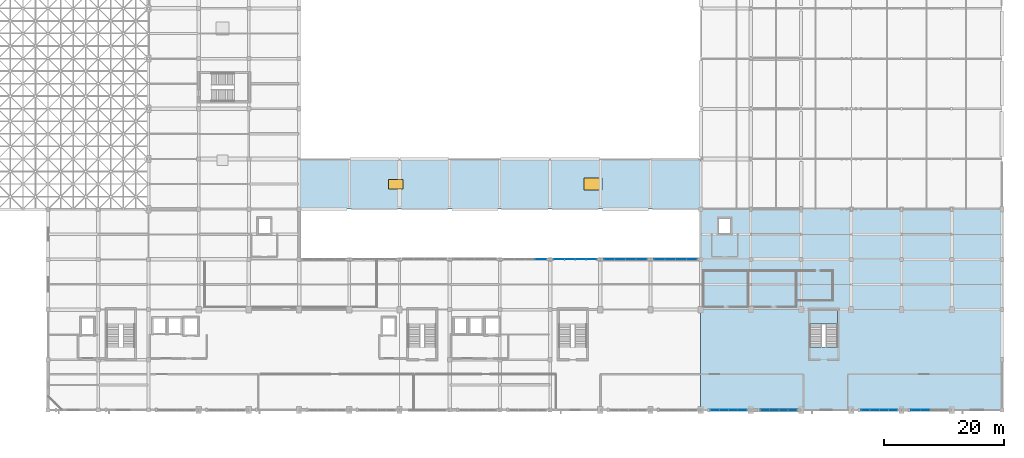
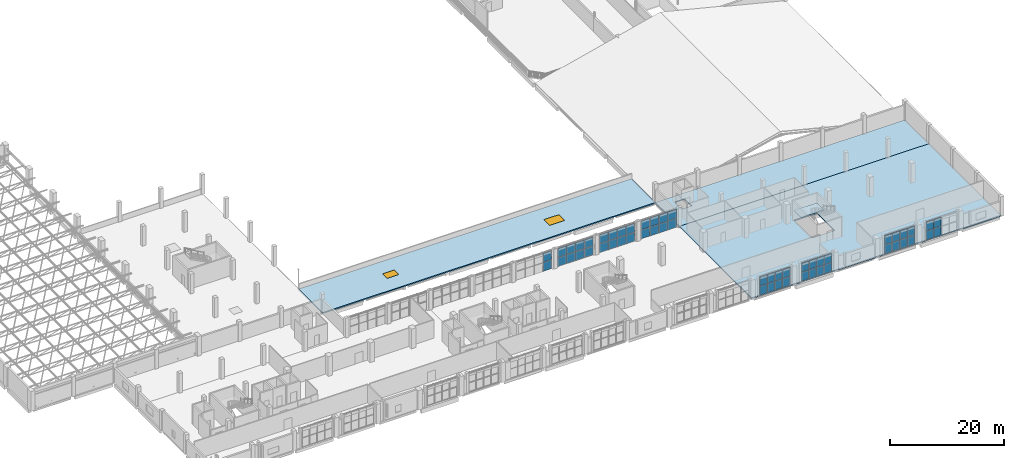
# One storey, part 41 of 64: 54 plates, 4 slabs, 2 windows, 2 openings, 9 elements without a shape of their own.
"""IFC4 building model written with IfcOpenShell, lengths in metres."""

from ifc_helpers import new_model, si_unit, derived_unit, direction, frame, origin, origin_2d, place, context, subcontext, project, spatial, polyline, rectangle, outline, extrude, material, layer, layer_set, type_object, element, fill, aggregate, save


model = new_model("IFC4")

# Units and contexts
model_context = context("Model", 3, precision=1e-05, world=origin(), true_north=direction((0.0, 1.0)))
body_context = subcontext(model_context, "Body", "Model", "MODEL_VIEW")
ifc_project = project(units=[si_unit("LENGTHUNIT", "METRE"), si_unit("AREAUNIT", "SQUARE_METRE"), si_unit("VOLUMEUNIT", "CUBIC_METRE"), si_unit("PLANEANGLEUNIT", "RADIAN"), si_unit("MASSUNIT", "GRAM", prefix="KILO"), derived_unit("THERMALTRANSMITTANCEUNIT", [(si_unit("POWERUNIT", "WATT"), 1), (si_unit("LENGTHUNIT", "METRE"), -2), (si_unit("THERMODYNAMICTEMPERATUREUNIT", "KELVIN"), -1)])], contexts=[model_context])

# Site, building, storey
site_placement = place(None, origin())
site = spatial("IfcSite", under=ifc_project, at=site_placement, CompositionType="ELEMENT")
building_placement = place(site_placement, origin())
building = spatial("IfcBuilding", under=site, at=building_placement, Name="Barrovel Congress Hotel", CompositionType="ELEMENT")
storey_placement = place(building_placement, frame((0.0, 0.0, 14.10009765625)))
storey = spatial("IfcBuildingStorey", under=building, at=storey_placement, Name="L03", CompositionType="ELEMENT", Elevation=14.10009765625)

# Curtain wall, plates
ifc_material_1 = material(Name="Anodised Aluminium Alloy 6063-T6", Category="aluminium")
curtain_wall_type = type_object("IfcCurtainWallType", Name="CW-ST-7200x3600", PredefinedType="USERDEFINED", material=ifc_material_1)
curtain_wall_1_placement = place(storey_placement, origin())
curtain_wall_1 = element("IfcCurtainWall", 1, at=curtain_wall_1_placement, inside=storey, type_object=curtain_wall_type, Name="CW:L03:S:16", ObjectType="STICK CURTAIN WALL", PredefinedType="USERDEFINED")
ifc_material_2 = material(Name="Double Low-E Insulated Glazing", Category="glass")
ifc_layer_1 = layer(ifc_material_2, 0.028076171875)
ifc_layer_set_1 = layer_set([ifc_layer_1], Name="Double Low-E Insulated Glazing")
plate_type_1 = type_object("IfcPlateType", Name="CWP-28", PredefinedType="CURTAIN_PANEL", material=ifc_layer_set_1)
plate_1_placement = place(storey_placement, frame((136.784912109375, 4.199951171875, 0.030029296875), z_axis=(0.0, 0.0, 1.0), x_axis=(1.0, 0.0, 0.0)))
plate_1 = element("IfcPlate", 2, at=plate_1_placement, type_object=plate_type_1, Name="CW:L03:S:16:P0-0", PredefinedType="CURTAIN_PANEL", context=body_context, shape_type="SweptSolid", body=[
    extrude(rectangle(XDim=1.469970703125, YDim=0.028076171875, at=origin_2d()), origin(), (0.0, 0.0, 1.0), 1.89990234375),
])
plate_2_placement = place(storey_placement, frame((136.784912109375, 4.199951171875, 1.989990234375), z_axis=(0.0, 0.0, 1.0), x_axis=(1.0, 0.0, 0.0)))
plate_2 = element("IfcPlate", 3, at=plate_2_placement, type_object=plate_type_1, Name="CW:L03:S:16:P0-1", PredefinedType="CURTAIN_PANEL", context=body_context, shape_type="SweptSolid", body=[
    extrude(rectangle(XDim=1.469970703125, YDim=0.028076171875, at=origin_2d()), origin(), (0.0, 0.0, 1.0), 1.89990234375),
])
plate_3_placement = place(storey_placement, frame((138.31494140625, 4.199951171875, 0.030029296875), z_axis=(0.0, 0.0, 1.0), x_axis=(1.0, 0.0, 0.0)))
plate_3 = element("IfcPlate", 4, at=plate_3_placement, type_object=plate_type_1, Name="CW:L03:S:16:P1-0", PredefinedType="CURTAIN_PANEL", context=body_context, shape_type="SweptSolid", body=[
    extrude(rectangle(XDim=1.469970703125, YDim=0.028076171875, at=origin_2d()), origin(), (0.0, 0.0, 1.0), 1.89990234375),
])
plate_4_placement = place(storey_placement, frame((138.31494140625, 4.199951171875, 1.989990234375), z_axis=(0.0, 0.0, 1.0), x_axis=(1.0, 0.0, 0.0)))
plate_4 = element("IfcPlate", 5, at=plate_4_placement, type_object=plate_type_1, Name="CW:L03:S:16:P1-1", PredefinedType="CURTAIN_PANEL", context=body_context, shape_type="SweptSolid", body=[
    extrude(rectangle(XDim=1.469970703125, YDim=0.028076171875, at=origin_2d()), origin(), (0.0, 0.0, 1.0), 1.89990234375),
])
plate_5_placement = place(storey_placement, frame((139.844970703125, 4.199951171875, 0.030029296875), z_axis=(0.0, 0.0, 1.0), x_axis=(1.0, 0.0, 0.0)))
plate_5 = element("IfcPlate", 6, at=plate_5_placement, type_object=plate_type_1, Name="CW:L03:S:16:P2-0", PredefinedType="CURTAIN_PANEL", context=body_context, shape_type="SweptSolid", body=[
    extrude(rectangle(XDim=1.469970703125, YDim=0.028076171875, at=origin_2d()), origin(), (0.0, 0.0, 1.0), 1.89990234375),
])
plate_6_placement = place(storey_placement, frame((139.844970703125, 4.199951171875, 1.989990234375), z_axis=(0.0, 0.0, 1.0), x_axis=(1.0, 0.0, 0.0)))
plate_6 = element("IfcPlate", 7, at=plate_6_placement, type_object=plate_type_1, Name="CW:L03:S:16:P2-1", PredefinedType="CURTAIN_PANEL", context=body_context, shape_type="SweptSolid", body=[
    extrude(rectangle(XDim=1.469970703125, YDim=0.028076171875, at=origin_2d()), origin(), (0.0, 0.0, 1.0), 1.89990234375),
])
plate_7_placement = place(storey_placement, frame((141.375, 4.199951171875, 0.030029296875), z_axis=(0.0, 0.0, 1.0), x_axis=(1.0, 0.0, 0.0)))
plate_7 = element("IfcPlate", 8, at=plate_7_placement, type_object=plate_type_1, Name="CW:L03:S:16:P3-0", PredefinedType="CURTAIN_PANEL", context=body_context, shape_type="SweptSolid", body=[
    extrude(rectangle(XDim=1.469970703125, YDim=0.028076171875, at=origin_2d()), origin(), (0.0, 0.0, 1.0), 1.89990234375),
])
plate_8_placement = place(storey_placement, frame((141.375, 4.199951171875, 1.989990234375), z_axis=(0.0, 0.0, 1.0), x_axis=(1.0, 0.0, 0.0)))
plate_8 = element("IfcPlate", 9, at=plate_8_placement, type_object=plate_type_1, Name="CW:L03:S:16:P3-1", PredefinedType="CURTAIN_PANEL", context=body_context, shape_type="SweptSolid", body=[
    extrude(rectangle(XDim=1.469970703125, YDim=0.028076171875, at=origin_2d()), origin(), (0.0, 0.0, 1.0), 1.89990234375),
])
aggregate(curtain_wall_1, [plate_1, plate_2, plate_3, plate_4, plate_5, plate_6, plate_7, plate_8])

curtain_wall_2_placement = place(storey_placement, origin())
curtain_wall_2 = element("IfcCurtainWall", 10, at=curtain_wall_2_placement, inside=storey, type_object=curtain_wall_type, Name="CW:L03:S:19", ObjectType="STICK CURTAIN WALL", PredefinedType="USERDEFINED")
plate_9_placement = place(storey_placement, frame((161.985107421875, 4.199951171875, 0.030029296875), z_axis=(0.0, 0.0, 1.0), x_axis=(1.0, 0.0, 0.0)))
plate_9 = element("IfcPlate", 11, at=plate_9_placement, type_object=plate_type_1, Name="CW:L03:S:19:P0-0", PredefinedType="CURTAIN_PANEL", context=body_context, shape_type="SweptSolid", body=[
    extrude(rectangle(XDim=1.469970703125, YDim=0.028076171875, at=origin_2d()), origin(), (0.0, 0.0, 1.0), 1.89990234375),
])
plate_10_placement = place(storey_placement, frame((161.985107421875, 4.199951171875, 1.989990234375), z_axis=(0.0, 0.0, 1.0), x_axis=(1.0, 0.0, 0.0)))
plate_10 = element("IfcPlate", 12, at=plate_10_placement, type_object=plate_type_1, Name="CW:L03:S:19:P0-1", PredefinedType="CURTAIN_PANEL", context=body_context, shape_type="SweptSolid", body=[
    extrude(rectangle(XDim=1.469970703125, YDim=0.028076171875, at=origin_2d()), origin(), (0.0, 0.0, 1.0), 1.89990234375),
])
plate_11_placement = place(storey_placement, frame((163.514892578125, 4.199951171875, 0.030029296875), z_axis=(0.0, 0.0, 1.0), x_axis=(1.0, 0.0, 0.0)))
plate_11 = element("IfcPlate", 13, at=plate_11_placement, type_object=plate_type_1, Name="CW:L03:S:19:P1-0", PredefinedType="CURTAIN_PANEL", context=body_context, shape_type="SweptSolid", body=[
    extrude(rectangle(XDim=1.469970703125, YDim=0.028076171875, at=origin_2d()), origin(), (0.0, 0.0, 1.0), 1.89990234375),
])
plate_12_placement = place(storey_placement, frame((163.514892578125, 4.199951171875, 1.989990234375), z_axis=(0.0, 0.0, 1.0), x_axis=(1.0, 0.0, 0.0)))
plate_12 = element("IfcPlate", 14, at=plate_12_placement, type_object=plate_type_1, Name="CW:L03:S:19:P1-1", PredefinedType="CURTAIN_PANEL", context=body_context, shape_type="SweptSolid", body=[
    extrude(rectangle(XDim=1.469970703125, YDim=0.028076171875, at=origin_2d()), origin(), (0.0, 0.0, 1.0), 1.89990234375),
])
aggregate(curtain_wall_2, [plate_9, plate_10, plate_11, plate_12])

curtain_wall_3_placement = place(storey_placement, origin())
curtain_wall_3 = element("IfcCurtainWall", 15, at=curtain_wall_3_placement, inside=storey, type_object=curtain_wall_type, Name="CW:L03:CS:13", ObjectType="STICK CURTAIN WALL", PredefinedType="USERDEFINED")
plate_13_placement = place(storey_placement, frame((116.10009765625, 29.39990234375, 0.030029296875), z_axis=(0.0, 0.0, 1.0), x_axis=(-1.0, 0.0, 0.0)))
plate_13 = element("IfcPlate", 16, at=plate_13_placement, type_object=plate_type_1, Name="CW:L03:CS:13:P0-0", PredefinedType="CURTAIN_PANEL", context=body_context, shape_type="SweptSolid", body=[
    extrude(rectangle(XDim=1.739990234375, YDim=0.028076171875, at=origin_2d()), origin(), (0.0, 0.0, 1.0), 1.89990234375),
])
plate_14_placement = place(storey_placement, frame((116.10009765625, 29.39990234375, 1.989990234375), z_axis=(0.0, 0.0, 1.0), x_axis=(-1.0, 0.0, 0.0)))
plate_14 = element("IfcPlate", 17, at=plate_14_placement, type_object=plate_type_1, Name="CW:L03:CS:13:P0-1", PredefinedType="CURTAIN_PANEL", context=body_context, shape_type="SweptSolid", body=[
    extrude(rectangle(XDim=1.739990234375, YDim=0.028076171875, at=origin_2d()), origin(), (0.0, 0.0, 1.0), 1.89990234375),
])
plate_15_placement = place(storey_placement, frame((114.300048828125, 29.39990234375, 0.030029296875), z_axis=(0.0, 0.0, 1.0), x_axis=(-1.0, 0.0, 0.0)))
plate_15 = element("IfcPlate", 18, at=plate_15_placement, type_object=plate_type_1, Name="CW:L03:CS:13:P1-0", PredefinedType="CURTAIN_PANEL", context=body_context, shape_type="SweptSolid", body=[
    extrude(rectangle(XDim=1.739990234375, YDim=0.028076171875, at=origin_2d()), origin(), (0.0, 0.0, 1.0), 1.89990234375),
])
plate_16_placement = place(storey_placement, frame((114.300048828125, 29.39990234375, 1.989990234375), z_axis=(0.0, 0.0, 1.0), x_axis=(-1.0, 0.0, 0.0)))
plate_16 = element("IfcPlate", 19, at=plate_16_placement, type_object=plate_type_1, Name="CW:L03:CS:13:P1-1", PredefinedType="CURTAIN_PANEL", context=body_context, shape_type="SweptSolid", body=[
    extrude(rectangle(XDim=1.739990234375, YDim=0.028076171875, at=origin_2d()), origin(), (0.0, 0.0, 1.0), 1.89990234375),
])
plate_17_placement = place(storey_placement, frame((112.5, 29.39990234375, 0.030029296875), z_axis=(0.0, 0.0, 1.0), x_axis=(-1.0, 0.0, 0.0)))
plate_17 = element("IfcPlate", 20, at=plate_17_placement, type_object=plate_type_1, Name="CW:L03:CS:13:P2-0", PredefinedType="CURTAIN_PANEL", context=body_context, shape_type="SweptSolid", body=[
    extrude(rectangle(XDim=1.739990234375, YDim=0.028076171875, at=origin_2d()), origin(), (0.0, 0.0, 1.0), 1.89990234375),
])
plate_18_placement = place(storey_placement, frame((112.5, 29.39990234375, 1.989990234375), z_axis=(0.0, 0.0, 1.0), x_axis=(-1.0, 0.0, 0.0)))
plate_18 = element("IfcPlate", 21, at=plate_18_placement, type_object=plate_type_1, Name="CW:L03:CS:13:P2-1", PredefinedType="CURTAIN_PANEL", context=body_context, shape_type="SweptSolid", body=[
    extrude(rectangle(XDim=1.739990234375, YDim=0.028076171875, at=origin_2d()), origin(), (0.0, 0.0, 1.0), 1.89990234375),
])
plate_19_placement = place(storey_placement, frame((110.699951171875, 29.39990234375, 0.030029296875), z_axis=(0.0, 0.0, 1.0), x_axis=(-1.0, 0.0, 0.0)))
plate_19 = element("IfcPlate", 22, at=plate_19_placement, type_object=plate_type_1, Name="CW:L03:CS:13:P3-0", PredefinedType="CURTAIN_PANEL", context=body_context, shape_type="SweptSolid", body=[
    extrude(rectangle(XDim=1.739990234375, YDim=0.028076171875, at=origin_2d()), origin(), (0.0, 0.0, 1.0), 1.89990234375),
])
plate_20_placement = place(storey_placement, frame((110.699951171875, 29.39990234375, 1.989990234375), z_axis=(0.0, 0.0, 1.0), x_axis=(-1.0, 0.0, 0.0)))
plate_20 = element("IfcPlate", 23, at=plate_20_placement, type_object=plate_type_1, Name="CW:L03:CS:13:P3-1", PredefinedType="CURTAIN_PANEL", context=body_context, shape_type="SweptSolid", body=[
    extrude(rectangle(XDim=1.739990234375, YDim=0.028076171875, at=origin_2d()), origin(), (0.0, 0.0, 1.0), 1.89990234375),
])
aggregate(curtain_wall_3, [plate_13, plate_14, plate_15, plate_16, plate_17, plate_18, plate_19, plate_20])

curtain_wall_4_placement = place(storey_placement, origin())
curtain_wall_4 = element("IfcCurtainWall", 24, at=curtain_wall_4_placement, inside=storey, type_object=curtain_wall_type, Name="CW:L03:CS:11", ObjectType="STICK CURTAIN WALL", PredefinedType="USERDEFINED")
plate_21_placement = place(storey_placement, frame((99.300048828125, 29.39990234375, 0.030029296875), z_axis=(0.0, 0.0, 1.0), x_axis=(-1.0, 0.0, 0.0)))
plate_21 = element("IfcPlate", 25, at=plate_21_placement, type_object=plate_type_1, Name="CW:L03:CS:11:P0-0", PredefinedType="CURTAIN_PANEL", context=body_context, shape_type="SweptSolid", body=[
    extrude(rectangle(XDim=1.739990234375, YDim=0.028076171875, at=origin_2d()), origin(), (0.0, 0.0, 1.0), 1.89990234375),
])
plate_22_placement = place(storey_placement, frame((99.300048828125, 29.39990234375, 1.989990234375), z_axis=(0.0, 0.0, 1.0), x_axis=(-1.0, 0.0, 0.0)))
plate_22 = element("IfcPlate", 26, at=plate_22_placement, type_object=plate_type_1, Name="CW:L03:CS:11:P0-1", PredefinedType="CURTAIN_PANEL", context=body_context, shape_type="SweptSolid", body=[
    extrude(rectangle(XDim=1.739990234375, YDim=0.028076171875, at=origin_2d()), origin(), (0.0, 0.0, 1.0), 1.89990234375),
])
aggregate(curtain_wall_4, [plate_21, plate_22])

curtain_wall_5_placement = place(storey_placement, origin())
curtain_wall_5 = element("IfcCurtainWall", 27, at=curtain_wall_5_placement, inside=storey, type_object=curtain_wall_type, Name="CW:L03:S:15", ObjectType="STICK CURTAIN WALL", PredefinedType="USERDEFINED")
ifc_layer_2 = layer(ifc_material_2, 0.031982421875)
ifc_layer_set_2 = layer_set([ifc_layer_2], Name="Double Low-E Insulated Glazing")
plate_type_2 = type_object("IfcPlateType", Name="CWP-32", PredefinedType="CURTAIN_PANEL", material=ifc_layer_set_2)
plate_23_placement = place(storey_placement, frame((128.385009765625, 4.199951171875, 0.030029296875), z_axis=(0.0, 0.0, 1.0), x_axis=(1.0, 0.0, 0.0)))
plate_23 = element("IfcPlate", 28, at=plate_23_placement, type_object=plate_type_2, Name="CW:L03:S:15:P0-0", PredefinedType="CURTAIN_PANEL", context=body_context, shape_type="SweptSolid", body=[
    extrude(rectangle(XDim=1.469970703125, YDim=0.031982421875, at=origin_2d()), origin(), (0.0, 0.0, 1.0), 1.89990234375),
])
plate_24_placement = place(storey_placement, frame((128.385009765625, 4.199951171875, 1.989990234375), z_axis=(0.0, 0.0, 1.0), x_axis=(1.0, 0.0, 0.0)))
plate_24 = element("IfcPlate", 29, at=plate_24_placement, type_object=plate_type_2, Name="CW:L03:S:15:P0-1", PredefinedType="CURTAIN_PANEL", context=body_context, shape_type="SweptSolid", body=[
    extrude(rectangle(XDim=1.469970703125, YDim=0.031982421875, at=origin_2d()), origin(), (0.0, 0.0, 1.0), 1.89990234375),
])
plate_25_placement = place(storey_placement, frame((129.9150390625, 4.199951171875, 0.030029296875), z_axis=(0.0, 0.0, 1.0), x_axis=(1.0, 0.0, 0.0)))
plate_25 = element("IfcPlate", 30, at=plate_25_placement, type_object=plate_type_2, Name="CW:L03:S:15:P1-0", PredefinedType="CURTAIN_PANEL", context=body_context, shape_type="SweptSolid", body=[
    extrude(rectangle(XDim=1.469970703125, YDim=0.031982421875, at=origin_2d()), origin(), (0.0, 0.0, 1.0), 1.89990234375),
])
plate_26_placement = place(storey_placement, frame((129.9150390625, 4.199951171875, 1.989990234375), z_axis=(0.0, 0.0, 1.0), x_axis=(1.0, 0.0, 0.0)))
plate_26 = element("IfcPlate", 31, at=plate_26_placement, type_object=plate_type_2, Name="CW:L03:S:15:P1-1", PredefinedType="CURTAIN_PANEL", context=body_context, shape_type="SweptSolid", body=[
    extrude(rectangle(XDim=1.469970703125, YDim=0.031982421875, at=origin_2d()), origin(), (0.0, 0.0, 1.0), 1.89990234375),
])
plate_27_placement = place(storey_placement, frame((131.445068359375, 4.199951171875, 0.030029296875), z_axis=(0.0, 0.0, 1.0), x_axis=(1.0, 0.0, 0.0)))
plate_27 = element("IfcPlate", 32, at=plate_27_placement, type_object=plate_type_2, Name="CW:L03:S:15:P2-0", PredefinedType="CURTAIN_PANEL", context=body_context, shape_type="SweptSolid", body=[
    extrude(rectangle(XDim=1.469970703125, YDim=0.031982421875, at=origin_2d()), origin(), (0.0, 0.0, 1.0), 1.89990234375),
])
plate_28_placement = place(storey_placement, frame((131.445068359375, 4.199951171875, 1.989990234375), z_axis=(0.0, 0.0, 1.0), x_axis=(1.0, 0.0, 0.0)))
plate_28 = element("IfcPlate", 33, at=plate_28_placement, type_object=plate_type_2, Name="CW:L03:S:15:P2-1", PredefinedType="CURTAIN_PANEL", context=body_context, shape_type="SweptSolid", body=[
    extrude(rectangle(XDim=1.469970703125, YDim=0.031982421875, at=origin_2d()), origin(), (0.0, 0.0, 1.0), 1.89990234375),
])
plate_29_placement = place(storey_placement, frame((132.97509765625, 4.199951171875, 0.030029296875), z_axis=(0.0, 0.0, 1.0), x_axis=(1.0, 0.0, 0.0)))
plate_29 = element("IfcPlate", 34, at=plate_29_placement, type_object=plate_type_2, Name="CW:L03:S:15:P3-0", PredefinedType="CURTAIN_PANEL", context=body_context, shape_type="SweptSolid", body=[
    extrude(rectangle(XDim=1.469970703125, YDim=0.031982421875, at=origin_2d()), origin(), (0.0, 0.0, 1.0), 1.89990234375),
])
plate_30_placement = place(storey_placement, frame((132.97509765625, 4.199951171875, 1.989990234375), z_axis=(0.0, 0.0, 1.0), x_axis=(1.0, 0.0, 0.0)))
plate_30 = element("IfcPlate", 35, at=plate_30_placement, type_object=plate_type_2, Name="CW:L03:S:15:P3-1", PredefinedType="CURTAIN_PANEL", context=body_context, shape_type="SweptSolid", body=[
    extrude(rectangle(XDim=1.469970703125, YDim=0.031982421875, at=origin_2d()), origin(), (0.0, 0.0, 1.0), 1.89990234375),
])
aggregate(curtain_wall_5, [plate_23, plate_24, plate_25, plate_26, plate_27, plate_28, plate_29, plate_30])

curtain_wall_6_placement = place(storey_placement, origin())
curtain_wall_6 = element("IfcCurtainWall", 36, at=curtain_wall_6_placement, inside=storey, type_object=curtain_wall_type, Name="CW:L03:S:18", ObjectType="STICK CURTAIN WALL", PredefinedType="USERDEFINED")
plate_31_placement = place(storey_placement, frame((153.5849609375, 4.199951171875, 0.030029296875), z_axis=(0.0, 0.0, 1.0), x_axis=(1.0, 0.0, 0.0)))
plate_31 = element("IfcPlate", 37, at=plate_31_placement, type_object=plate_type_2, Name="CW:L03:S:18:P0-0", PredefinedType="CURTAIN_PANEL", context=body_context, shape_type="SweptSolid", body=[
    extrude(rectangle(XDim=1.469970703125, YDim=0.031982421875, at=origin_2d()), origin(), (0.0, 0.0, 1.0), 1.89990234375),
])
plate_32_placement = place(storey_placement, frame((153.5849609375, 4.199951171875, 1.989990234375), z_axis=(0.0, 0.0, 1.0), x_axis=(1.0, 0.0, 0.0)))
plate_32 = element("IfcPlate", 38, at=plate_32_placement, type_object=plate_type_2, Name="CW:L03:S:18:P0-1", PredefinedType="CURTAIN_PANEL", context=body_context, shape_type="SweptSolid", body=[
    extrude(rectangle(XDim=1.469970703125, YDim=0.031982421875, at=origin_2d()), origin(), (0.0, 0.0, 1.0), 1.89990234375),
])
plate_33_placement = place(storey_placement, frame((155.114990234375, 4.199951171875, 0.030029296875), z_axis=(0.0, 0.0, 1.0), x_axis=(1.0, 0.0, 0.0)))
plate_33 = element("IfcPlate", 39, at=plate_33_placement, type_object=plate_type_2, Name="CW:L03:S:18:P1-0", PredefinedType="CURTAIN_PANEL", context=body_context, shape_type="SweptSolid", body=[
    extrude(rectangle(XDim=1.469970703125, YDim=0.031982421875, at=origin_2d()), origin(), (0.0, 0.0, 1.0), 1.89990234375),
])
plate_34_placement = place(storey_placement, frame((155.114990234375, 4.199951171875, 1.989990234375), z_axis=(0.0, 0.0, 1.0), x_axis=(1.0, 0.0, 0.0)))
plate_34 = element("IfcPlate", 40, at=plate_34_placement, type_object=plate_type_2, Name="CW:L03:S:18:P1-1", PredefinedType="CURTAIN_PANEL", context=body_context, shape_type="SweptSolid", body=[
    extrude(rectangle(XDim=1.469970703125, YDim=0.031982421875, at=origin_2d()), origin(), (0.0, 0.0, 1.0), 1.89990234375),
])
plate_35_placement = place(storey_placement, frame((156.64501953125, 4.199951171875, 0.030029296875), z_axis=(0.0, 0.0, 1.0), x_axis=(1.0, 0.0, 0.0)))
plate_35 = element("IfcPlate", 41, at=plate_35_placement, type_object=plate_type_2, Name="CW:L03:S:18:P2-0", PredefinedType="CURTAIN_PANEL", context=body_context, shape_type="SweptSolid", body=[
    extrude(rectangle(XDim=1.469970703125, YDim=0.031982421875, at=origin_2d()), origin(), (0.0, 0.0, 1.0), 1.89990234375),
])
plate_36_placement = place(storey_placement, frame((156.64501953125, 4.199951171875, 1.989990234375), z_axis=(0.0, 0.0, 1.0), x_axis=(1.0, 0.0, 0.0)))
plate_36 = element("IfcPlate", 42, at=plate_36_placement, type_object=plate_type_2, Name="CW:L03:S:18:P2-1", PredefinedType="CURTAIN_PANEL", context=body_context, shape_type="SweptSolid", body=[
    extrude(rectangle(XDim=1.469970703125, YDim=0.031982421875, at=origin_2d()), origin(), (0.0, 0.0, 1.0), 1.89990234375),
])
plate_37_placement = place(storey_placement, frame((158.175048828125, 4.199951171875, 0.030029296875), z_axis=(0.0, 0.0, 1.0), x_axis=(1.0, 0.0, 0.0)))
plate_37 = element("IfcPlate", 43, at=plate_37_placement, type_object=plate_type_2, Name="CW:L03:S:18:P3-0", PredefinedType="CURTAIN_PANEL", context=body_context, shape_type="SweptSolid", body=[
    extrude(rectangle(XDim=1.469970703125, YDim=0.031982421875, at=origin_2d()), origin(), (0.0, 0.0, 1.0), 1.89990234375),
])
plate_38_placement = place(storey_placement, frame((158.175048828125, 4.199951171875, 1.989990234375), z_axis=(0.0, 0.0, 1.0), x_axis=(1.0, 0.0, 0.0)))
plate_38 = element("IfcPlate", 44, at=plate_38_placement, type_object=plate_type_2, Name="CW:L03:S:18:P3-1", PredefinedType="CURTAIN_PANEL", context=body_context, shape_type="SweptSolid", body=[
    extrude(rectangle(XDim=1.469970703125, YDim=0.031982421875, at=origin_2d()), origin(), (0.0, 0.0, 1.0), 1.89990234375),
])
aggregate(curtain_wall_6, [plate_31, plate_32, plate_33, plate_34, plate_35, plate_36, plate_37, plate_38])

curtain_wall_7_placement = place(storey_placement, origin())
curtain_wall_7 = element("IfcCurtainWall", 45, at=curtain_wall_7_placement, inside=storey, type_object=curtain_wall_type, Name="CW:L03:CS:14", ObjectType="STICK CURTAIN WALL", PredefinedType="USERDEFINED")
plate_39_placement = place(storey_placement, frame((124.5, 29.39990234375, 0.030029296875), z_axis=(0.0, 0.0, 1.0), x_axis=(-1.0, 0.0, 0.0)))
plate_39 = element("IfcPlate", 46, at=plate_39_placement, type_object=plate_type_2, Name="CW:L03:CS:14:P0-0", PredefinedType="CURTAIN_PANEL", context=body_context, shape_type="SweptSolid", body=[
    extrude(rectangle(XDim=1.739990234375, YDim=0.031982421875, at=origin_2d()), origin(), (0.0, 0.0, 1.0), 1.89990234375),
])
plate_40_placement = place(storey_placement, frame((124.5, 29.39990234375, 1.989990234375), z_axis=(0.0, 0.0, 1.0), x_axis=(-1.0, 0.0, 0.0)))
plate_40 = element("IfcPlate", 47, at=plate_40_placement, type_object=plate_type_2, Name="CW:L03:CS:14:P0-1", PredefinedType="CURTAIN_PANEL", context=body_context, shape_type="SweptSolid", body=[
    extrude(rectangle(XDim=1.739990234375, YDim=0.031982421875, at=origin_2d()), origin(), (0.0, 0.0, 1.0), 1.89990234375),
])
plate_41_placement = place(storey_placement, frame((122.699951171875, 29.39990234375, 0.030029296875), z_axis=(0.0, 0.0, 1.0), x_axis=(-1.0, 0.0, 0.0)))
plate_41 = element("IfcPlate", 48, at=plate_41_placement, type_object=plate_type_2, Name="CW:L03:CS:14:P1-0", PredefinedType="CURTAIN_PANEL", context=body_context, shape_type="SweptSolid", body=[
    extrude(rectangle(XDim=1.739990234375, YDim=0.031982421875, at=origin_2d()), origin(), (0.0, 0.0, 1.0), 1.89990234375),
])
plate_42_placement = place(storey_placement, frame((122.699951171875, 29.39990234375, 1.989990234375), z_axis=(0.0, 0.0, 1.0), x_axis=(-1.0, 0.0, 0.0)))
plate_42 = element("IfcPlate", 49, at=plate_42_placement, type_object=plate_type_2, Name="CW:L03:CS:14:P1-1", PredefinedType="CURTAIN_PANEL", context=body_context, shape_type="SweptSolid", body=[
    extrude(rectangle(XDim=1.739990234375, YDim=0.031982421875, at=origin_2d()), origin(), (0.0, 0.0, 1.0), 1.89990234375),
])
plate_43_placement = place(storey_placement, frame((120.89990234375, 29.39990234375, 0.030029296875), z_axis=(0.0, 0.0, 1.0), x_axis=(-1.0, 0.0, 0.0)))
plate_43 = element("IfcPlate", 50, at=plate_43_placement, type_object=plate_type_2, Name="CW:L03:CS:14:P2-0", PredefinedType="CURTAIN_PANEL", context=body_context, shape_type="SweptSolid", body=[
    extrude(rectangle(XDim=1.739990234375, YDim=0.031982421875, at=origin_2d()), origin(), (0.0, 0.0, 1.0), 1.89990234375),
])
plate_44_placement = place(storey_placement, frame((120.89990234375, 29.39990234375, 1.989990234375), z_axis=(0.0, 0.0, 1.0), x_axis=(-1.0, 0.0, 0.0)))
plate_44 = element("IfcPlate", 51, at=plate_44_placement, type_object=plate_type_2, Name="CW:L03:CS:14:P2-1", PredefinedType="CURTAIN_PANEL", context=body_context, shape_type="SweptSolid", body=[
    extrude(rectangle(XDim=1.739990234375, YDim=0.031982421875, at=origin_2d()), origin(), (0.0, 0.0, 1.0), 1.89990234375),
])
plate_45_placement = place(storey_placement, frame((119.10009765625, 29.39990234375, 0.030029296875), z_axis=(0.0, 0.0, 1.0), x_axis=(-1.0, 0.0, 0.0)))
plate_45 = element("IfcPlate", 52, at=plate_45_placement, type_object=plate_type_2, Name="CW:L03:CS:14:P3-0", PredefinedType="CURTAIN_PANEL", context=body_context, shape_type="SweptSolid", body=[
    extrude(rectangle(XDim=1.739990234375, YDim=0.031982421875, at=origin_2d()), origin(), (0.0, 0.0, 1.0), 1.89990234375),
])
plate_46_placement = place(storey_placement, frame((119.10009765625, 29.39990234375, 1.989990234375), z_axis=(0.0, 0.0, 1.0), x_axis=(-1.0, 0.0, 0.0)))
plate_46 = element("IfcPlate", 53, at=plate_46_placement, type_object=plate_type_2, Name="CW:L03:CS:14:P3-1", PredefinedType="CURTAIN_PANEL", context=body_context, shape_type="SweptSolid", body=[
    extrude(rectangle(XDim=1.739990234375, YDim=0.031982421875, at=origin_2d()), origin(), (0.0, 0.0, 1.0), 1.89990234375),
])
aggregate(curtain_wall_7, [plate_39, plate_40, plate_41, plate_42, plate_43, plate_44, plate_45, plate_46])

curtain_wall_8_placement = place(storey_placement, origin())
curtain_wall_8 = element("IfcCurtainWall", 54, at=curtain_wall_8_placement, inside=storey, type_object=curtain_wall_type, Name="CW:L03:CS:12", ObjectType="STICK CURTAIN WALL", PredefinedType="USERDEFINED")
plate_47_placement = place(storey_placement, frame((107.699951171875, 29.39990234375, 0.030029296875), z_axis=(0.0, 0.0, 1.0), x_axis=(-1.0, 0.0, 0.0)))
plate_47 = element("IfcPlate", 55, at=plate_47_placement, type_object=plate_type_2, Name="CW:L03:CS:12:P0-0", PredefinedType="CURTAIN_PANEL", context=body_context, shape_type="SweptSolid", body=[
    extrude(rectangle(XDim=1.739990234375, YDim=0.031982421875, at=origin_2d()), origin(), (0.0, 0.0, 1.0), 1.89990234375),
])
plate_48_placement = place(storey_placement, frame((107.699951171875, 29.39990234375, 1.989990234375), z_axis=(0.0, 0.0, 1.0), x_axis=(-1.0, 0.0, 0.0)))
plate_48 = element("IfcPlate", 56, at=plate_48_placement, type_object=plate_type_2, Name="CW:L03:CS:12:P0-1", PredefinedType="CURTAIN_PANEL", context=body_context, shape_type="SweptSolid", body=[
    extrude(rectangle(XDim=1.739990234375, YDim=0.031982421875, at=origin_2d()), origin(), (0.0, 0.0, 1.0), 1.89990234375),
])
plate_49_placement = place(storey_placement, frame((105.89990234375, 29.39990234375, 0.030029296875), z_axis=(0.0, 0.0, 1.0), x_axis=(-1.0, 0.0, 0.0)))
plate_49 = element("IfcPlate", 57, at=plate_49_placement, type_object=plate_type_2, Name="CW:L03:CS:12:P1-0", PredefinedType="CURTAIN_PANEL", context=body_context, shape_type="SweptSolid", body=[
    extrude(rectangle(XDim=1.739990234375, YDim=0.031982421875, at=origin_2d()), origin(), (0.0, 0.0, 1.0), 1.89990234375),
])
plate_50_placement = place(storey_placement, frame((105.89990234375, 29.39990234375, 1.989990234375), z_axis=(0.0, 0.0, 1.0), x_axis=(-1.0, 0.0, 0.0)))
plate_50 = element("IfcPlate", 58, at=plate_50_placement, type_object=plate_type_2, Name="CW:L03:CS:12:P1-1", PredefinedType="CURTAIN_PANEL", context=body_context, shape_type="SweptSolid", body=[
    extrude(rectangle(XDim=1.739990234375, YDim=0.031982421875, at=origin_2d()), origin(), (0.0, 0.0, 1.0), 1.89990234375),
])
plate_51_placement = place(storey_placement, frame((104.10009765625, 29.39990234375, 0.030029296875), z_axis=(0.0, 0.0, 1.0), x_axis=(-1.0, 0.0, 0.0)))
plate_51 = element("IfcPlate", 59, at=plate_51_placement, type_object=plate_type_2, Name="CW:L03:CS:12:P2-0", PredefinedType="CURTAIN_PANEL", context=body_context, shape_type="SweptSolid", body=[
    extrude(rectangle(XDim=1.739990234375, YDim=0.031982421875, at=origin_2d()), origin(), (0.0, 0.0, 1.0), 1.89990234375),
])
plate_52_placement = place(storey_placement, frame((104.10009765625, 29.39990234375, 1.989990234375), z_axis=(0.0, 0.0, 1.0), x_axis=(-1.0, 0.0, 0.0)))
plate_52 = element("IfcPlate", 60, at=plate_52_placement, type_object=plate_type_2, Name="CW:L03:CS:12:P2-1", PredefinedType="CURTAIN_PANEL", context=body_context, shape_type="SweptSolid", body=[
    extrude(rectangle(XDim=1.739990234375, YDim=0.031982421875, at=origin_2d()), origin(), (0.0, 0.0, 1.0), 1.89990234375),
])
plate_53_placement = place(storey_placement, frame((102.300048828125, 29.39990234375, 0.030029296875), z_axis=(0.0, 0.0, 1.0), x_axis=(-1.0, 0.0, 0.0)))
plate_53 = element("IfcPlate", 61, at=plate_53_placement, type_object=plate_type_2, Name="CW:L03:CS:12:P3-0", PredefinedType="CURTAIN_PANEL", context=body_context, shape_type="SweptSolid", body=[
    extrude(rectangle(XDim=1.739990234375, YDim=0.031982421875, at=origin_2d()), origin(), (0.0, 0.0, 1.0), 1.89990234375),
])
plate_54_placement = place(storey_placement, frame((102.300048828125, 29.39990234375, 1.989990234375), z_axis=(0.0, 0.0, 1.0), x_axis=(-1.0, 0.0, 0.0)))
plate_54 = element("IfcPlate", 62, at=plate_54_placement, type_object=plate_type_2, Name="CW:L03:CS:12:P3-1", PredefinedType="CURTAIN_PANEL", context=body_context, shape_type="SweptSolid", body=[
    extrude(rectangle(XDim=1.739990234375, YDim=0.031982421875, at=origin_2d()), origin(), (0.0, 0.0, 1.0), 1.89990234375),
])
aggregate(curtain_wall_8, [plate_47, plate_48, plate_49, plate_50, plate_51, plate_52, plate_53, plate_54])

# Slabs
ifc_material_3 = material(Name="Concrete C35", Category="concrete")
ifc_layer_3 = layer(ifc_material_3, 0.239990234375)
ifc_layer_set_3 = layer_set([ifc_layer_3], Name="Concrete C35")
slab_type_1 = type_object("IfcSlabType", Name="SL-F240", PredefinedType="FLOOR", material=ifc_layer_set_3)
slab_1_placement = place(storey_placement, frame((0.0, 0.0, -0.239990234375)))
element("IfcSlab", 63, at=slab_1_placement, inside=storey, type_object=slab_type_1, Name="SLAB:L03:V4-3", PredefinedType="FLOOR", context=body_context, shape_type="SweptSolid", body=[
    extrude(outline(polyline([(126.0, 4.199951171875), (176.39990234375, 4.199951171875), (176.39990234375, 29.39990234375), (126.0, 29.39990234375), (126.0, 4.199951171875)]), holes=[polyline([(144.300048828125, 14.780029296875), (144.300048828125, 21.0), (148.89990234375, 21.0), (148.89990234375, 14.780029296875), (144.300048828125, 14.780029296875)])]), origin(), (0.0, 0.0, 1.0), 0.239990234375),
])
slab_2_placement = place(storey_placement, frame((0.0, 0.0, -0.239990234375)))
element("IfcSlab", 64, at=slab_2_placement, inside=storey, type_object=slab_type_1, Name="SLAB:L03:V4-5", PredefinedType="FLOOR", context=body_context, shape_type="SweptSolid", body=[
    extrude(outline(polyline([(126.0, 29.39990234375), (176.39990234375, 29.39990234375), (176.39990234375, 37.800048828125), (126.0, 37.800048828125), (126.0, 29.39990234375)]), holes=[polyline([(129.0, 33.75), (129.0, 36.25), (131.0, 36.25), (131.0, 33.75), (129.0, 33.75)])]), origin(), (0.0, 0.0, 1.0), 0.239990234375),
])

# Stair, slab
ifc_material_4 = material(Name="Concrete C40", Category="concrete")
stair_type = type_object("IfcStairType", Name="STR-HT-420", PredefinedType="HALF_TURN_STAIR", material=ifc_material_4)
stair_placement = place(storey_placement, origin())
stair = element("IfcStair", 65, at=stair_placement, inside=storey, type_object=stair_type, Name="Exit Stair XS-04 (L03)", PredefinedType="HALF_TURN_STAIR")
ifc_layer_4 = layer(ifc_material_4, 0.18994140625)
ifc_layer_set_4 = layer_set([ifc_layer_4], Name="Concrete C40")
slab_type_2 = type_object("IfcSlabType", Name="SL-LDG-190", PredefinedType="LANDING", material=ifc_layer_set_4)
slab_3_placement = place(storey_placement, frame((0.0, 0.0, 1.909912109375)))
slab_3 = element("IfcSlab", 66, at=slab_3_placement, type_object=slab_type_2, Name="STAIR:XS-04:L03:LDG", PredefinedType="LANDING", context=body_context, shape_type="SweptSolid", body=[
    extrude(outline(polyline([(144.280029296875, 18.544921875), (148.919921875, 18.544921875), (148.919921875, 21.02001953125), (144.280029296875, 21.02001953125), (144.280029296875, 18.544921875)])), origin(), (0.0, 0.0, 1.0), 0.18994140625),
])
aggregate(stair, [slab_3])

# Slab, openings, windows
ifc_layer_5 = layer(ifc_material_3, 0.239990234375)
ifc_layer_set_5 = layer_set([ifc_layer_5], Name="Concrete C35")
slab_type_3 = type_object("IfcSlabType", Name="SL-R240", PredefinedType="ROOF", material=ifc_layer_set_5)
slab_4_placement = place(storey_placement, frame((0.0, 0.0, -0.239990234375)))
slab_4 = element("IfcSlab", 67, at=slab_4_placement, inside=storey, type_object=slab_type_3, Name="SLAB:L03:V5-CLOISTER-ROOF", PredefinedType="ROOF", context=body_context, shape_type="SweptSolid", body=[
    extrude(outline(polyline([(58.800048828125, 37.800048828125), (126.0, 37.800048828125), (126.0, 46.199951171875), (58.800048828125, 46.199951171875), (58.800048828125, 37.800048828125)])), origin(), (0.0, 0.0, 1.0), 0.239990234375),
])
opening_1_placement = place(slab_4_placement, frame((75.0, 42.0, -0.010009765625)))
opening_1 = element("IfcOpeningElement", 68, at=opening_1_placement, cuts=slab_4, Name="Opening SK-03", PredefinedType="OPENING", context=body_context, shape_type="SweptSolid", body=[
    extrude(rectangle(XDim=2.39990234375, YDim=1.60009765625, at=origin_2d()), origin(), (0.0, 0.0, 1.0), 0.260009765625),
])
opening_2_placement = place(slab_4_placement, frame((108.0, 42.0, -0.010009765625)))
opening_2 = element("IfcOpeningElement", 69, at=opening_2_placement, cuts=slab_4, Name="Opening SK-04", PredefinedType="OPENING", context=body_context, shape_type="SweptSolid", body=[
    extrude(rectangle(XDim=3.0, YDim=2.0, at=origin_2d()), origin(), (0.0, 0.0, 1.0), 0.260009765625),
])
window_type_1 = type_object("IfcWindowType", Name="SKY-03", PartitioningType="SINGLE_PANEL", PredefinedType="SKYLIGHT", material=ifc_material_2)
window_1_placement = place(slab_4_placement, frame((75.0, 42.0, 0.18994140625)))
window_1 = element("IfcWindow", 70, at=window_1_placement, inside=storey, type_object=window_type_1, Name="Curb-Mounted Roof Skylight SK-3", OverallHeight=1.60009765625, OverallWidth=2.39990234375, PartitioningType="SINGLE_PANEL", PredefinedType="SKYLIGHT", context=body_context, shape_type="SweptSolid", body=[
    extrude(rectangle(XDim=2.39990234375, YDim=1.60009765625, at=origin_2d()), origin(), (0.0, 0.0, 1.0), 0.050048828125),
])
fill(opening_1, window_1)
window_type_2 = type_object("IfcWindowType", Name="SKY-04", PartitioningType="SINGLE_PANEL", PredefinedType="SKYLIGHT", material=ifc_material_2)
window_2_placement = place(slab_4_placement, frame((108.0, 42.0, 0.18994140625)))
window_2 = element("IfcWindow", 71, at=window_2_placement, inside=storey, type_object=window_type_2, Name="Curb-Mounted Roof Skylight SK-4", OverallHeight=2.0, OverallWidth=3.0, PartitioningType="SINGLE_PANEL", PredefinedType="SKYLIGHT", context=body_context, shape_type="SweptSolid", body=[
    extrude(rectangle(XDim=3.0, YDim=2.0, at=origin_2d()), origin(), (0.0, 0.0, 1.0), 0.050048828125),
])
fill(opening_2, window_2)

save(model, "model.ifc")
